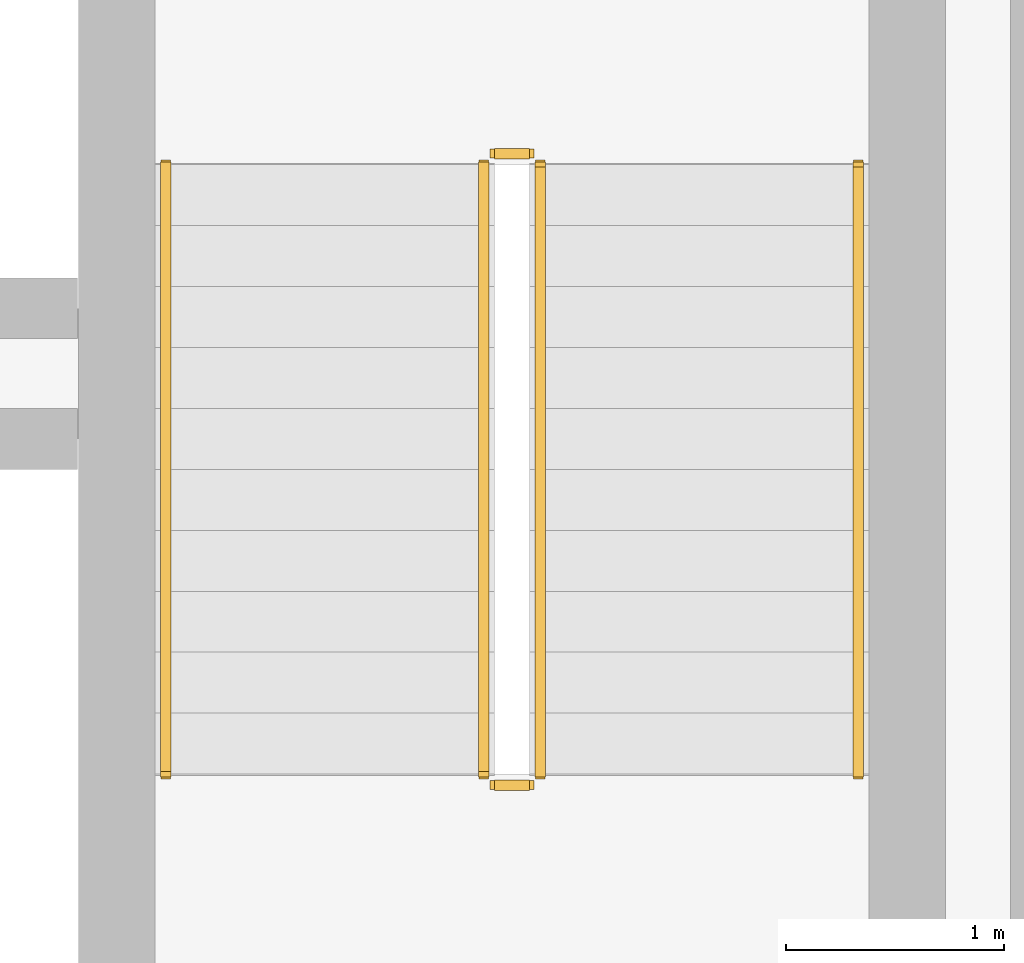
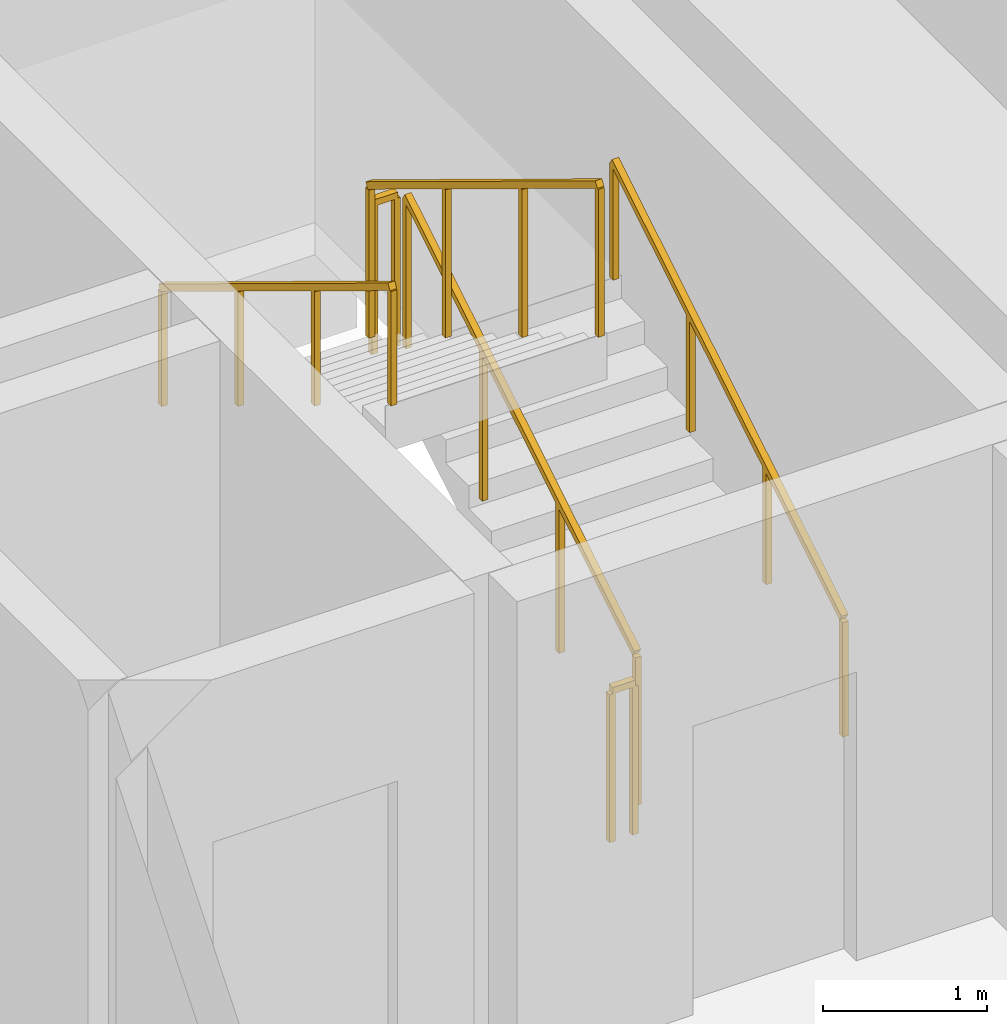
# One storey, part 15 of 15: 6 railings.
"""IFC4 building model written with IfcOpenShell, lengths in metres."""

from ifc_helpers import new_model, si_unit, direction, frame, origin, origin_2d, place, context, subcontext, project, spatial, rectangle, extrude, material, type_object, element, save


model = new_model("IFC4")

# Units and contexts
model_context = context("Model", 3, precision=1e-05, world=origin(), true_north=direction((0.0, 1.0)))
body_context = subcontext(model_context, "Body", "Model", "MODEL_VIEW")
ifc_project = project(units=[si_unit("LENGTHUNIT", "METRE"), si_unit("AREAUNIT", "SQUARE_METRE"), si_unit("VOLUMEUNIT", "CUBIC_METRE"), si_unit("PLANEANGLEUNIT", "RADIAN"), si_unit("MASSUNIT", "GRAM", prefix="KILO")], contexts=[model_context])

# Site, building, storey
site_placement = place(None, origin())
site = spatial("IfcSite", under=ifc_project, at=site_placement, CompositionType="ELEMENT")
building_placement = place(site_placement, origin())
building = spatial("IfcBuilding", under=site, at=building_placement, Name="Kaelvorn Grand Hotel", CompositionType="ELEMENT")
storey_placement = place(building_placement, frame((0.0, 0.0, 65.14990234375)))
storey = spatial("IfcBuildingStorey", under=building, at=storey_placement, Name="L14", CompositionType="ELEMENT", Elevation=65.14990234375)

# Railings
ifc_material = material(Name="Stainless Steel", Category="steel")
railing_type_1 = type_object("IfcRailingType", Name="RL-HANDRAIL-900", PredefinedType="HANDRAIL", material=ifc_material)
railing_1_placement = place(storey_placement, frame((66.550048828125, 41.760009765625, 0.170654296875)))
element("IfcRailing", 1, at=railing_1_placement, inside=storey, type_object=railing_type_1, Name="L14 ST3 stair handrail 1", PredefinedType="HANDRAIL", context=body_context, shape_type="SweptSolid", body=[
    extrude(rectangle(XDim=0.048095703125, YDim=0.048095703125, at=origin_2d()), frame((0.0, 0.0, 0.8759765625), z_axis=(0.0, 0.854202870247, 0.519939858505), x_axis=(-1.0, 0.0, 0.0)), (0.0, 0.0, 1.0), 3.278076171875),
    extrude(rectangle(XDim=0.0419921875, YDim=0.0419921875, at=origin_2d()), origin(), (0.0, 0.0, 1.0), 0.851806640625),
    extrude(rectangle(XDim=0.0419921875, YDim=0.0419921875, at=origin_2d()), frame((0.0, 0.933349609375, 0.568115234375)), (0.0, 0.0, 1.0), 0.851806640625),
    extrude(rectangle(XDim=0.0419921875, YDim=0.0419921875, at=origin_2d()), frame((0.0, 1.86669921875, 1.13623046875)), (0.0, 0.0, 1.0), 0.851806640625),
    extrude(rectangle(XDim=0.0419921875, YDim=0.0419921875, at=origin_2d()), frame((0.0, 2.800048828125, 1.704345703125)), (0.0, 0.0, 1.0), 0.851806640625),
])
railing_2_placement = place(storey_placement, frame((63.3701171875, 44.56005859375, 2.045654296875)))
element("IfcRailing", 2, at=railing_2_placement, inside=storey, type_object=railing_type_1, Name="L14 ST3 stair handrail 2", PredefinedType="HANDRAIL", context=body_context, shape_type="SweptSolid", body=[
    extrude(rectangle(XDim=0.048095703125, YDim=0.048095703125, at=origin_2d()), frame((0.0, 0.0, 0.8759765625), z_axis=(0.0, -0.854202870247, 0.519939858505), x_axis=(1.0, 0.0, 0.0)), (0.0, 0.0, 1.0), 3.278076171875),
    extrude(rectangle(XDim=0.0419921875, YDim=0.0419921875, at=origin_2d()), origin(), (0.0, 0.0, 1.0), 0.851806640625),
    extrude(rectangle(XDim=0.0419921875, YDim=0.0419921875, at=origin_2d()), frame((0.0, -0.933349609375, 0.568115234375)), (0.0, 0.0, 1.0), 0.851806640625),
    extrude(rectangle(XDim=0.0419921875, YDim=0.0419921875, at=origin_2d()), frame((0.0, -1.86669921875, 1.13623046875)), (0.0, 0.0, 1.0), 0.851806640625),
    extrude(rectangle(XDim=0.0419921875, YDim=0.0419921875, at=origin_2d()), frame((0.0, -2.800048828125, 1.704345703125)), (0.0, 0.0, 1.0), 0.851806640625),
])
railing_type_2 = type_object("IfcRailingType", Name="RL-STAIR-GUARD-1150", PredefinedType="BALUSTRADE", material=ifc_material)
railing_3_placement = place(storey_placement, frame((65.090087890625, 41.760009765625, 0.170654296875)))
element("IfcRailing", 3, at=railing_3_placement, inside=storey, type_object=railing_type_2, Name="L14 ST3 stair guard 1", PredefinedType="BALUSTRADE", context=body_context, shape_type="SweptSolid", body=[
    extrude(rectangle(XDim=0.048095703125, YDim=0.048095703125, at=origin_2d()), frame((0.0, 0.0, 1.1259765625), z_axis=(0.0, 0.854202870247, 0.519939858505), x_axis=(-1.0, 0.0, 0.0)), (0.0, 0.0, 1.0), 3.278076171875),
    extrude(rectangle(XDim=0.0419921875, YDim=0.0419921875, at=origin_2d()), origin(), (0.0, 0.0, 1.0), 1.101806640625),
    extrude(rectangle(XDim=0.0419921875, YDim=0.0419921875, at=origin_2d()), frame((0.0, 0.933349609375, 0.568115234375)), (0.0, 0.0, 1.0), 1.101806640625),
    extrude(rectangle(XDim=0.0419921875, YDim=0.0419921875, at=origin_2d()), frame((0.0, 1.86669921875, 1.13623046875)), (0.0, 0.0, 1.0), 1.101806640625),
    extrude(rectangle(XDim=0.0419921875, YDim=0.0419921875, at=origin_2d()), frame((0.0, 2.800048828125, 1.704345703125)), (0.0, 0.0, 1.0), 1.101806640625),
])
railing_4_placement = place(storey_placement, frame((65.0400390625, 44.610107421875, 1.875)))
element("IfcRailing", 4, at=railing_4_placement, inside=storey, type_object=railing_type_2, Name="L14 ST3 stair guard 2", PredefinedType="BALUSTRADE", context=body_context, shape_type="SweptSolid", body=[
    extrude(rectangle(XDim=0.048095703125, YDim=0.048095703125, at=origin_2d()), frame((0.0, 0.0, 1.1259765625), z_axis=(-1.0, 0.0, 0.0), x_axis=(0.0, -1.0, 0.0)), (0.0, 0.0, 1.0), 0.16015625),
    extrude(rectangle(XDim=0.0419921875, YDim=0.0419921875, at=origin_2d()), origin(), (0.0, 0.0, 1.0), 1.101806640625),
    extrude(rectangle(XDim=0.0419921875, YDim=0.0419921875, at=origin_2d()), frame((-0.16015625, 0.0, 0.0)), (0.0, 0.0, 1.0), 1.101806640625),
])
railing_5_placement = place(storey_placement, frame((64.830078125, 44.56005859375, 2.045654296875)))
element("IfcRailing", 5, at=railing_5_placement, inside=storey, type_object=railing_type_2, Name="L14 ST3 stair guard 3", PredefinedType="BALUSTRADE", context=body_context, shape_type="SweptSolid", body=[
    extrude(rectangle(XDim=0.048095703125, YDim=0.048095703125, at=origin_2d()), frame((0.0, 0.0, 1.1259765625), z_axis=(0.0, -0.854202870247, 0.519939858505), x_axis=(1.0, 0.0, 0.0)), (0.0, 0.0, 1.0), 3.278076171875),
    extrude(rectangle(XDim=0.0419921875, YDim=0.0419921875, at=origin_2d()), origin(), (0.0, 0.0, 1.0), 1.101806640625),
    extrude(rectangle(XDim=0.0419921875, YDim=0.0419921875, at=origin_2d()), frame((0.0, -0.933349609375, 0.568115234375)), (0.0, 0.0, 1.0), 1.101806640625),
    extrude(rectangle(XDim=0.0419921875, YDim=0.0419921875, at=origin_2d()), frame((0.0, -1.86669921875, 1.13623046875)), (0.0, 0.0, 1.0), 1.101806640625),
    extrude(rectangle(XDim=0.0419921875, YDim=0.0419921875, at=origin_2d()), frame((0.0, -2.800048828125, 1.704345703125)), (0.0, 0.0, 1.0), 1.101806640625),
])
railing_6_placement = place(storey_placement, frame((65.0400390625, 41.7099609375, 0.0)))
element("IfcRailing", 6, at=railing_6_placement, inside=storey, type_object=railing_type_2, Name="L14 ST3 stair guard 4", PredefinedType="BALUSTRADE", context=body_context, shape_type="SweptSolid", body=[
    extrude(rectangle(XDim=0.048095703125, YDim=0.048095703125, at=origin_2d()), frame((0.0, 0.0, 1.1259765625), z_axis=(-1.0, 0.0, 0.0), x_axis=(0.0, -1.0, 0.0)), (0.0, 0.0, 1.0), 0.16015625),
    extrude(rectangle(XDim=0.0419921875, YDim=0.0419921875, at=origin_2d()), origin(), (0.0, 0.0, 1.0), 1.101806640625),
    extrude(rectangle(XDim=0.0419921875, YDim=0.0419921875, at=origin_2d()), frame((-0.16015625, 0.0, 0.0)), (0.0, 0.0, 1.0), 1.101806640625),
])

save(model, "model.ifc")
